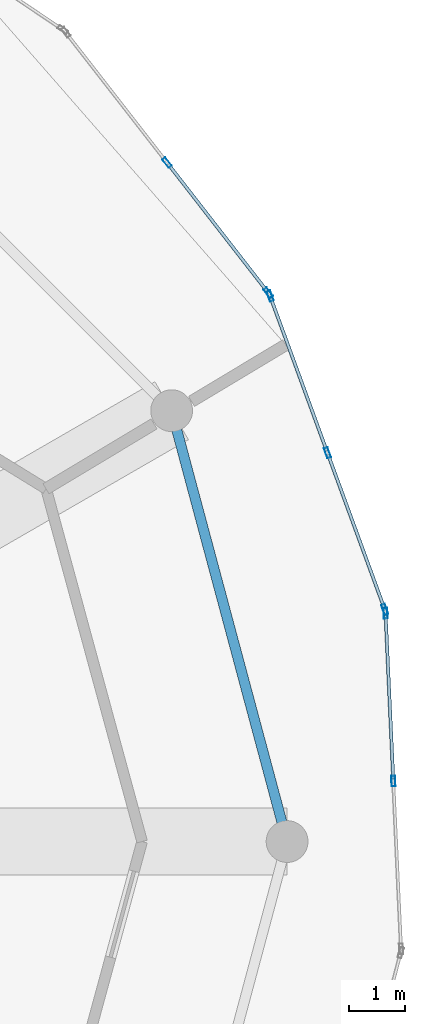
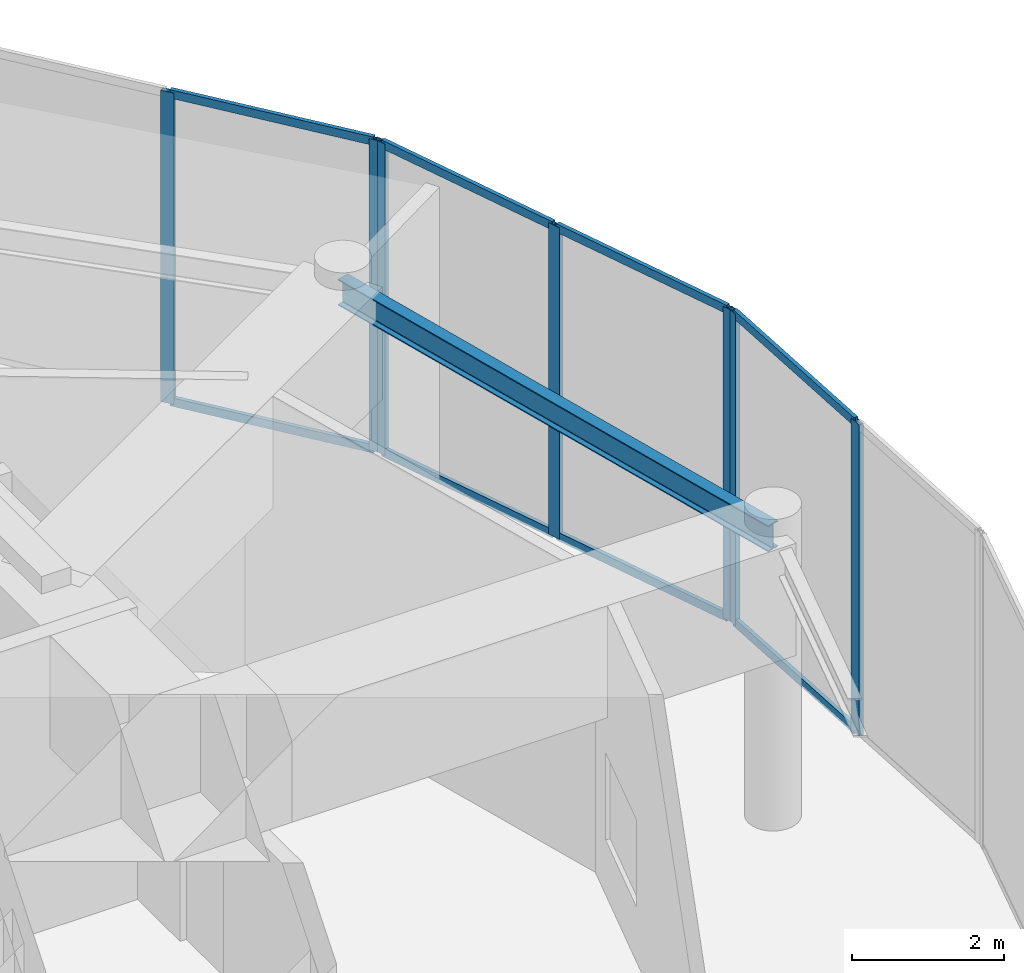
# One storey, part 13 of 20: 15 members, 1 beam, 3 elements without a shape of their own.
"""IFC4 building model written with IfcOpenShell, lengths in metres."""

from ifc_helpers import new_model, si_unit, direction, frame, origin, origin_2d, place, context, subcontext, project, spatial, hollow_rectangle, i_section, extrude, source, transform, mapped, material, layer, layer_set, material_profile, profile_set, type_object, element, aggregate, save


model = new_model("IFC4")

# Units and contexts
model_context = context("Model", 3, precision=1e-05, world=origin(), true_north=direction((0.0, 1.0)))
body_context = subcontext(model_context, "Body", "Model", "MODEL_VIEW")
ifc_project = project(units=[si_unit("LENGTHUNIT", "METRE"), si_unit("AREAUNIT", "SQUARE_METRE"), si_unit("VOLUMEUNIT", "CUBIC_METRE"), si_unit("PLANEANGLEUNIT", "RADIAN"), si_unit("MASSUNIT", "GRAM", prefix="KILO")], contexts=[model_context])

# Site, building, storey
site_placement = place(None, origin())
site = spatial("IfcSite", under=ifc_project, at=site_placement, CompositionType="ELEMENT")
building_placement = place(site_placement, origin())
building = spatial("IfcBuilding", under=site, at=building_placement, Name="Solvirekh Grand Hotel", CompositionType="ELEMENT")
storey_placement = place(building_placement, frame((0.0, 0.0, 297.199951171875)))
storey = spatial("IfcBuildingStorey", under=building, at=storey_placement, Name="L77", CompositionType="ELEMENT", Elevation=297.199951171875)

# Beam
ifc_material_1 = material(Name="Steel S355", Category="steel")
ifc_material_profile_1 = material_profile(ifc_material_1, i_section(OverallWidth=0.180908203125, OverallDepth=0.4169921875, WebThickness=0.010009765625, FlangeThickness=0.01611328125, FilletRadius=0.011962890625, at=origin_2d()), Name="W410X85")
ifc_profile_set_1 = profile_set([ifc_material_profile_1], Name="Steel S355")
beam_type = type_object("IfcBeamType", Name="Spandrel_Ring_W410", PredefinedType="SPANDREL", material=ifc_profile_set_1)
beam_placement = place(storey_placement, frame((15.449951171875, 0.0, 4.470947265625), z_axis=(-0.258834757072, 0.965921616143, 0.0), x_axis=(-0.965921616143, -0.258834757072, 0.0)))
element("IfcBeam", 1, at=beam_placement, inside=storey, type_object=beam_type, Name="L77 perimeter spandrel beam 1", PredefinedType="SPANDREL", context=body_context, shape_type="SweptSolid", body=[
    extrude(i_section(OverallWidth=0.180908203125, OverallDepth=0.4169921875, WebThickness=0.010009765625, FlangeThickness=0.01611328125, FilletRadius=0.011962890625, at=origin_2d()), origin(), (0.0, 0.0, 1.0), 7.99755859375),
])

# Curtain wall, members
ifc_material_2 = material(Name="Anodized Bronze Aluminium 6063-T6", Category="aluminium")
ifc_layer = layer(ifc_material_2, 0.18994140625)
ifc_layer_set = layer_set([ifc_layer], Name="Anodized Bronze Aluminium 6063-T6")
curtain_wall_type = type_object("IfcCurtainWallType", Name="CW_Sys5_SkyLobbyPanoramaCW", PredefinedType="NOTDEFINED", material=ifc_layer_set)
curtain_wall_1_placement = place(storey_placement, origin())
curtain_wall_1 = element("IfcCurtainWall", 2, at=curtain_wall_1_placement, inside=storey, type_object=curtain_wall_type, Name="L77 unitised bronze-glass curtain wall CW-L77-C07", PredefinedType="NOTDEFINED")
ifc_material_profile_2 = material_profile(ifc_material_2, hollow_rectangle(XDim=0.06005859375, YDim=0.135009765625, WallThickness=0.00390625, at=origin_2d()), Name="ALU RHS 135X60X4")
ifc_profile_set_2 = profile_set([ifc_material_profile_2], Name="Anodized Bronze Aluminium 6063-T6")
member_type_1 = type_object("IfcMemberType", Name="CWTransom_Sys5", PredefinedType="USERDEFINED", material=ifc_profile_set_2)
shared_shape_1 = source(origin(), body_context, "Body", "SweptSolid", [
    extrude(hollow_rectangle(XDim=0.06005859375, YDim=0.135009765625, WallThickness=0.00390625, at=origin_2d()), origin(), (0.0, 0.0, 1.0), 2.92138671875),
])
member_1_placement = place(storey_placement, frame((17.18994140625, 4.19482421875, 0.030029296875), z_axis=(-0.343648045993, 0.939098514792, 0.0), x_axis=(-0.939098514792, -0.343648045993, 0.0)))
member_1 = element("IfcMember", 3, at=member_1_placement, type_object=member_type_1, Name="U05 transom 1.1", ObjectType="TRANSOM", PredefinedType="USERDEFINED", context=body_context, shape_type="MappedRepresentation", body=[
    mapped(shared_shape_1, transform((0.0, 0.0, 0.0), x_axis=(1.0, 0.0, 0.0), y_axis=(0.0, 1.0, 0.0), z_axis=(0.0, 0.0, 1.0), scale=1.0)),
])
member_2_placement = place(storey_placement, frame((17.18994140625, 4.19482421875, 4.969970703125), z_axis=(-0.343648045993, 0.939098514792, 0.0), x_axis=(-0.939098514792, -0.343648045993, 0.0)))
member_2 = element("IfcMember", 4, at=member_2_placement, type_object=member_type_1, Name="U05 transom 1.2", ObjectType="TRANSOM", PredefinedType="USERDEFINED", context=body_context, shape_type="MappedRepresentation", body=[
    mapped(shared_shape_1, transform((0.0, 0.0, 0.0), x_axis=(1.0, 0.0, 0.0), y_axis=(0.0, 1.0, 0.0), z_axis=(0.0, 0.0, 1.0), scale=1.0)),
])
member_3_placement = place(storey_placement, frame((16.161865234375, 7.00390625, 0.030029296875), z_axis=(-0.343648045993, 0.939098514792, 0.0), x_axis=(-0.939098514792, -0.343648045993, 0.0)))
member_3 = element("IfcMember", 5, at=member_3_placement, type_object=member_type_1, Name="U05 transom 2.1", ObjectType="TRANSOM", PredefinedType="USERDEFINED", context=body_context, shape_type="MappedRepresentation", body=[
    mapped(shared_shape_1, transform((0.0, 0.0, 0.0), x_axis=(1.0, 0.0, 0.0), y_axis=(0.0, 1.0, 0.0), z_axis=(0.0, 0.0, 1.0), scale=1.0)),
])
member_4_placement = place(storey_placement, frame((16.161865234375, 7.00390625, 4.969970703125), z_axis=(-0.343648045993, 0.939098514792, 0.0), x_axis=(-0.939098514792, -0.343648045993, 0.0)))
member_4 = element("IfcMember", 6, at=member_4_placement, type_object=member_type_1, Name="U05 transom 2.2", ObjectType="TRANSOM", PredefinedType="USERDEFINED", context=body_context, shape_type="MappedRepresentation", body=[
    mapped(shared_shape_1, transform((0.0, 0.0, 0.0), x_axis=(1.0, 0.0, 0.0), y_axis=(0.0, 1.0, 0.0), z_axis=(0.0, 0.0, 1.0), scale=1.0)),
])

curtain_wall_2_placement = place(storey_placement, origin())
curtain_wall_2 = element("IfcCurtainWall", 7, at=curtain_wall_2_placement, inside=storey, type_object=curtain_wall_type, Name="L77 unitised bronze-glass curtain wall CW-L77-C08", PredefinedType="NOTDEFINED")
shared_shape_2 = source(origin(), body_context, "Body", "SweptSolid", [
    extrude(hollow_rectangle(XDim=0.06005859375, YDim=0.135009765625, WallThickness=0.00390625, at=origin_2d()), origin(), (0.0, 0.0, 1.0), 2.887451171875),
])
member_5_placement = place(storey_placement, frame((15.091064453125, 9.8681640625, 0.030029296875), z_axis=(-0.61387036527, 0.789406849884, 0.0), x_axis=(-0.789406849884, -0.61387036527, 0.0)))
member_5 = element("IfcMember", 8, at=member_5_placement, type_object=member_type_1, Name="U05 transom 1.1", ObjectType="TRANSOM", PredefinedType="USERDEFINED", context=body_context, shape_type="MappedRepresentation", body=[
    mapped(shared_shape_2, transform((0.0, 0.0, 0.0), x_axis=(1.0, 0.0, 0.0), y_axis=(0.0, 1.0, 0.0), z_axis=(0.0, 0.0, 1.0), scale=1.0)),
])
member_6_placement = place(storey_placement, frame((15.091064453125, 9.8681640625, 4.969970703125), z_axis=(-0.61387036527, 0.789406849884, 0.0), x_axis=(-0.789406849884, -0.61387036527, 0.0)))
member_6 = element("IfcMember", 9, at=member_6_placement, type_object=member_type_1, Name="U05 transom 1.2", ObjectType="TRANSOM", PredefinedType="USERDEFINED", context=body_context, shape_type="MappedRepresentation", body=[
    mapped(shared_shape_2, transform((0.0, 0.0, 0.0), x_axis=(1.0, 0.0, 0.0), y_axis=(0.0, 1.0, 0.0), z_axis=(0.0, 0.0, 1.0), scale=1.0)),
])

curtain_wall_3_placement = place(storey_placement, origin())
curtain_wall_3 = element("IfcCurtainWall", 10, at=curtain_wall_3_placement, inside=storey, type_object=curtain_wall_type, Name="L77 unitised bronze-glass curtain wall CW-L77-C06", PredefinedType="NOTDEFINED")
ifc_material_profile_3 = material_profile(ifc_material_2, hollow_rectangle(XDim=0.070068359375, YDim=0.18994140625, WallThickness=0.0048828125, at=origin_2d()), Name="ALU RHS 190X70X5")
ifc_profile_set_3 = profile_set([ifc_material_profile_3], Name="Anodized Bronze Aluminium 6063-T6")
member_type_2 = type_object("IfcMemberType", Name="CWMullion_Sys5", PredefinedType="MULLION", material=ifc_profile_set_3)
shared_shape_3 = source(origin(), body_context, "Body", "SweptSolid", [
    extrude(hollow_rectangle(XDim=0.070068359375, YDim=0.18994140625, WallThickness=0.0048828125, at=origin_2d()), origin(), (0.0, 0.0, 1.0), 5.0),
])
member_7_placement = place(storey_placement, frame((17.35546875, 1.08447265625, 0.0), z_axis=(0.0, 0.0, 1.0), x_axis=(-0.998921679103, -0.046427136666, 0.0)))
member_7 = element("IfcMember", 11, at=member_7_placement, type_object=member_type_2, Name="U05 mullion 2", PredefinedType="MULLION", context=body_context, shape_type="MappedRepresentation", body=[
    mapped(shared_shape_3, transform((0.0, 0.0, 0.0), x_axis=(1.0, 0.0, 0.0), y_axis=(0.0, 1.0, 0.0), z_axis=(0.0, 0.0, 1.0), scale=1.0)),
])
member_8_placement = place(storey_placement, frame((17.215576171875, 4.093994140625, 0.0), z_axis=(0.0, 0.0, 1.0), x_axis=(-0.998921679103, -0.046427136666, 0.0)))
member_8 = element("IfcMember", 12, at=member_8_placement, type_object=member_type_2, Name="U05 mullion 3", PredefinedType="MULLION", context=body_context, shape_type="MappedRepresentation", body=[
    mapped(shared_shape_3, transform((0.0, 0.0, 0.0), x_axis=(1.0, 0.0, 0.0), y_axis=(0.0, 1.0, 0.0), z_axis=(0.0, 0.0, 1.0), scale=1.0)),
])

# Member
member_9_placement = place(storey_placement, frame((17.201904296875, 4.161865234375, 0.0), z_axis=(0.0, 0.0, 1.0), x_axis=(-0.939096844563, -0.343652610251, 0.0)))
member_9 = element("IfcMember", 13, at=member_9_placement, type_object=member_type_2, Name="U05 mullion 1", PredefinedType="MULLION", context=body_context, shape_type="MappedRepresentation", body=[
    mapped(shared_shape_3, transform((0.0, 0.0, 0.0), x_axis=(1.0, 0.0, 0.0), y_axis=(0.0, 1.0, 0.0), z_axis=(0.0, 0.0, 1.0), scale=1.0)),
])

member_10_placement = place(storey_placement, frame((16.174072265625, 6.970947265625, 0.0), z_axis=(0.0, 0.0, 1.0), x_axis=(-0.939096844563, -0.343652610251, 0.0)))
member_10 = element("IfcMember", 14, at=member_10_placement, type_object=member_type_2, Name="U05 mullion 2", PredefinedType="MULLION", context=body_context, shape_type="MappedRepresentation", body=[
    mapped(shared_shape_3, transform((0.0, 0.0, 0.0), x_axis=(1.0, 0.0, 0.0), y_axis=(0.0, 1.0, 0.0), z_axis=(0.0, 0.0, 1.0), scale=1.0)),
])

member_11_placement = place(storey_placement, frame((15.14599609375, 9.780029296875, 0.0), z_axis=(0.0, 0.0, 1.0), x_axis=(-0.939096844563, -0.343652610251, 0.0)))
member_11 = element("IfcMember", 15, at=member_11_placement, type_object=member_type_2, Name="U05 mullion 3", PredefinedType="MULLION", context=body_context, shape_type="MappedRepresentation", body=[
    mapped(shared_shape_3, transform((0.0, 0.0, 0.0), x_axis=(1.0, 0.0, 0.0), y_axis=(0.0, 1.0, 0.0), z_axis=(0.0, 0.0, 1.0), scale=1.0)),
])

aggregate(curtain_wall_1, [member_9, member_10, member_11, member_1, member_2, member_3, member_4])

member_12_placement = place(storey_placement, frame((15.112548828125, 9.840576171875, 0.0), z_axis=(0.0, 0.0, 1.0), x_axis=(-0.789370212192, -0.613917476624, 0.0)))
member_12 = element("IfcMember", 16, at=member_12_placement, type_object=member_type_2, Name="U05 mullion 1", PredefinedType="MULLION", context=body_context, shape_type="MappedRepresentation", body=[
    mapped(shared_shape_3, transform((0.0, 0.0, 0.0), x_axis=(1.0, 0.0, 0.0), y_axis=(0.0, 1.0, 0.0), z_axis=(0.0, 0.0, 1.0), scale=1.0)),
])

member_13_placement = place(storey_placement, frame((13.297119140625, 12.175048828125, 0.0), z_axis=(0.0, 0.0, 1.0), x_axis=(-0.789370212192, -0.613917476624, 0.0)))
member_13 = element("IfcMember", 17, at=member_13_placement, type_object=member_type_2, Name="U05 mullion 2", PredefinedType="MULLION", context=body_context, shape_type="MappedRepresentation", body=[
    mapped(shared_shape_3, transform((0.0, 0.0, 0.0), x_axis=(1.0, 0.0, 0.0), y_axis=(0.0, 1.0, 0.0), z_axis=(0.0, 0.0, 1.0), scale=1.0)),
])

aggregate(curtain_wall_2, [member_12, member_13, member_5, member_6])

shared_shape_4 = source(origin(), body_context, "Body", "SweptSolid", [
    extrude(hollow_rectangle(XDim=0.06005859375, YDim=0.135009765625, WallThickness=0.00390625, at=origin_2d()), origin(), (0.0, 0.0, 1.0), 2.94287109375),
])
member_14_placement = place(storey_placement, frame((17.353759765625, 1.119384765625, 0.030029296875), z_axis=(-0.046374767746, 0.99892411169, 0.0), x_axis=(-0.99892411169, -0.046374767746, 0.0)))
member_14 = element("IfcMember", 18, at=member_14_placement, type_object=member_type_1, Name="U05 transom 2.1", ObjectType="TRANSOM", PredefinedType="USERDEFINED", context=body_context, shape_type="MappedRepresentation", body=[
    mapped(shared_shape_4, transform((0.0, 0.0, 0.0), x_axis=(1.0, 0.0, 0.0), y_axis=(0.0, 1.0, 0.0), z_axis=(0.0, 0.0, 1.0), scale=1.0)),
])

member_15_placement = place(storey_placement, frame((17.353759765625, 1.119384765625, 4.969970703125), z_axis=(-0.046374767746, 0.99892411169, 0.0), x_axis=(-0.99892411169, -0.046374767746, 0.0)))
member_15 = element("IfcMember", 19, at=member_15_placement, type_object=member_type_1, Name="U05 transom 2.2", ObjectType="TRANSOM", PredefinedType="USERDEFINED", context=body_context, shape_type="MappedRepresentation", body=[
    mapped(shared_shape_4, transform((0.0, 0.0, 0.0), x_axis=(1.0, 0.0, 0.0), y_axis=(0.0, 1.0, 0.0), z_axis=(0.0, 0.0, 1.0), scale=1.0)),
])

aggregate(curtain_wall_3, [member_7, member_8, member_14, member_15])

save(model, "model.ifc")
